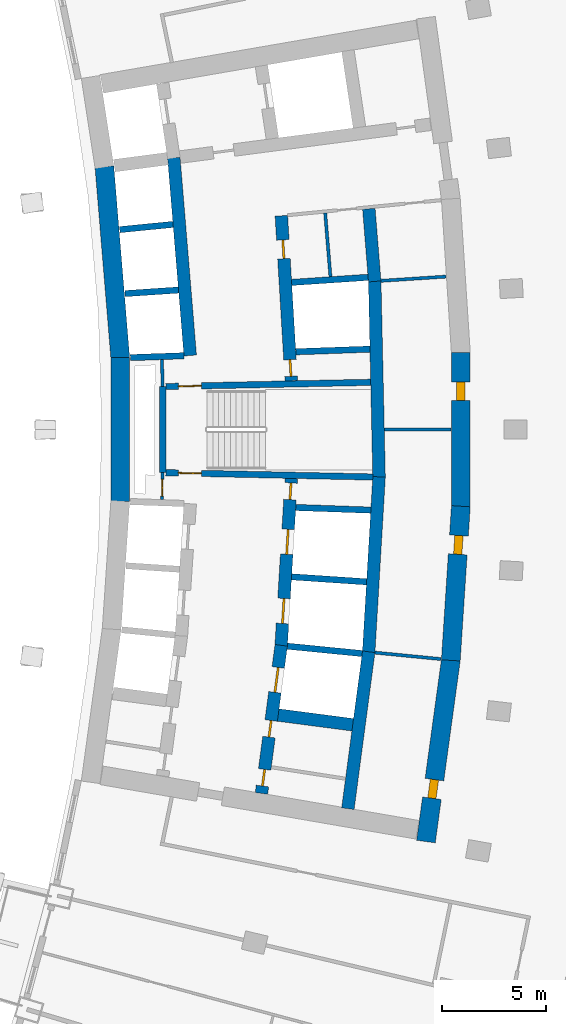
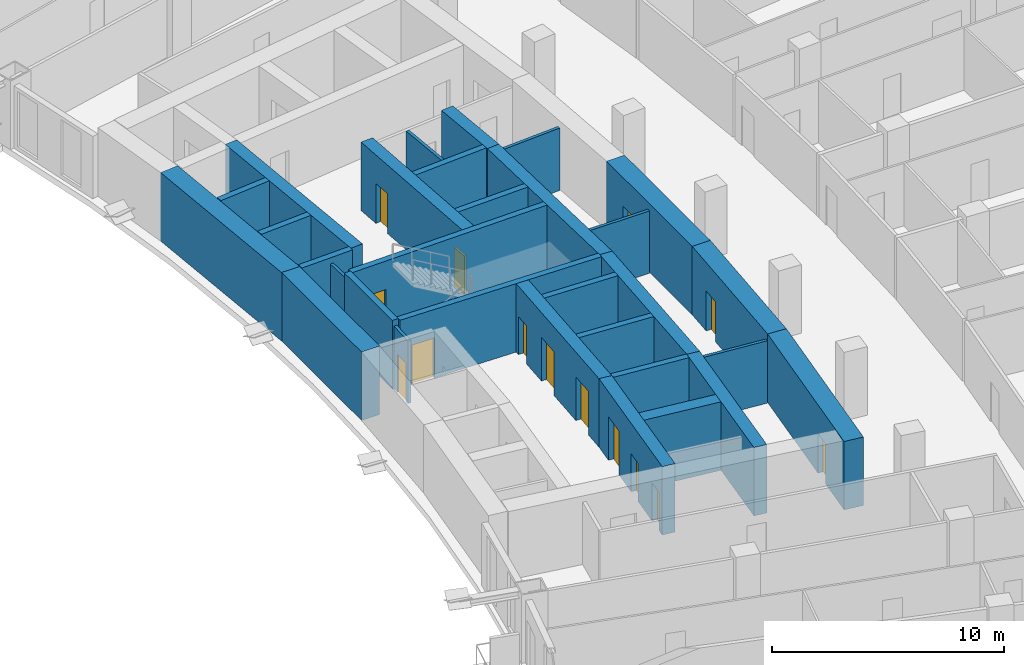
# One storey, part 13 of 22: 31 walls, 14 doors, 14 openings.
"""IFC4 building model written with IfcOpenShell, lengths in metres."""

from ifc_helpers import new_model, si_unit, direction, frame, frame_2d, origin, place, context, subcontext, project, spatial, rectangle, extrude, material, layer, layer_set, type_object, element, fill, save


model = new_model("IFC4")

# Units and contexts
model_context = context("Model", 3, precision=1e-05, world=origin(), true_north=direction((0.0, 1.0)))
body_context = subcontext(model_context, "Body", "Model", "MODEL_VIEW")
ifc_project = project(units=[si_unit("LENGTHUNIT", "METRE"), si_unit("AREAUNIT", "SQUARE_METRE"), si_unit("VOLUMEUNIT", "CUBIC_METRE"), si_unit("PLANEANGLEUNIT", "RADIAN"), si_unit("MASSUNIT", "GRAM", prefix="KILO")], contexts=[model_context])

# Site, building, storey
site_placement = place(None, origin())
site = spatial("IfcSite", under=ifc_project, at=site_placement, CompositionType="ELEMENT")
building_placement = place(site_placement, origin())
building = spatial("IfcBuilding", under=site, at=building_placement, Name="Alderwake Tower", CompositionType="ELEMENT")
storey_placement = place(building_placement, frame((0.0, 0.0, 50.0)))
storey = spatial("IfcBuildingStorey", under=building, at=storey_placement, Name="L11", CompositionType="ELEMENT", Elevation=50.0)

# Wall, opening, door
ifc_material_1 = material(Name="Gypsum shaft wall system, rated")
ifc_layer_1 = layer(ifc_material_1, 0.14990234375)
ifc_layer_set_1 = layer_set([ifc_layer_1], Name="Core room partition 150")
wall_type_1 = type_object("IfcWallType", Name="Core room partition 150", PredefinedType="PARTITIONING", material=ifc_layer_set_1)
wall_1_placement = place(storey_placement, frame((18.918701171875, 58.94384765625, 0.0), z_axis=(0.0, 0.0, 1.0), x_axis=(-0.027348257573, -0.999625966453, 0.0)))
wall_1 = element("IfcWall", 1, at=wall_1_placement, inside=storey, type_object=wall_type_1, Name="CW/L11/PA+24_-37", PredefinedType="PARTITIONING", context=body_context, shape_type="SweptSolid", body=[
    extrude(rectangle(XDim=1.29443359375, YDim=0.14990234375, at=frame_2d((0.647216796875, 0.0))), origin(), (0.0, 0.0, 1.0), 3.280029296875),
])
opening_1_placement = place(wall_1_placement, frame((0.322998046875, 0.0, 0.0)))
opening_1 = element("IfcOpeningElement", 2, at=opening_1_placement, cuts=wall_1, Name="Opening C004", PredefinedType="OPENING", context=body_context, shape_type="SweptSolid", body=[
    extrude(rectangle(XDim=0.800048828125, YDim=2.0, at=frame_2d((0.39990234375, 1.0))), frame((0.0, 0.0849609375, 0.0), z_axis=(0.0, -1.0, 0.0), x_axis=(1.0, 0.0, 0.0)), (0.0, 0.0, 1.0), 0.169921875),
])
ifc_material_2 = material(Name="Painted steel leaf, rated", Category="steel")
door_type_1 = type_object("IfcDoorType", Name="Riser access door 800", OperationType="SINGLE_SWING_LEFT", PredefinedType="DOOR", material=ifc_material_2)
door_1_placement = place(opening_1_placement, origin())
door_1 = element("IfcDoor", 3, at=door_1_placement, inside=storey, type_object=door_type_1, Name="Riser access door", OperationType="SINGLE_SWING_RIGHT", OverallHeight=2.0, OverallWidth=0.800048828125, PredefinedType="DOOR", context=body_context, shape_type="SweptSolid", body=[
    extrude(rectangle(XDim=0.800048828125, YDim=2.0, at=frame_2d((0.39990234375, 1.0))), frame((0.0, 0.02490234375, 0.0), z_axis=(0.0, -1.0, 0.0), x_axis=(1.0, 0.0, 0.0)), (0.0, 0.0, 1.0), 0.050048828125),
])
fill(opening_1, door_1)

# Walls
wall_2_placement = place(storey_placement, frame((18.918701171875, 63.05517578125, 0.0), z_axis=(0.0, 0.0, 1.0), x_axis=(-0.027327648352, 0.999626530078, 0.0)))
element("IfcWall", 4, at=wall_2_placement, inside=storey, type_object=wall_type_1, Name="CW/L11/PA+24_+22", PredefinedType="PARTITIONING", context=body_context, shape_type="SweptSolid", body=[
    extrude(rectangle(XDim=1.29541015625, YDim=0.14990234375, at=frame_2d((0.647705078125, 0.0))), origin(), (0.0, 0.0, 1.0), 3.280029296875),
])
wall_3_placement = place(storey_placement, frame((26.94970703125, 68.3203125, 0.0), z_axis=(0.0, 0.0, 1.0), x_axis=(-0.082463525817, 0.996594083321, 0.0)))
element("IfcWall", 5, at=wall_3_placement, inside=storey, type_object=wall_type_1, Name="CW/L11/PA+107_+70", PredefinedType="PARTITIONING", context=body_context, shape_type="SweptSolid", body=[
    extrude(rectangle(XDim=3.055419921875, YDim=0.14990234375, at=frame_2d((1.52783203125, 0.0))), origin(), (0.0, 0.0, 1.0), 3.280029296875),
])
wall_4_placement = place(storey_placement, frame((29.0791015625, 50.326416015625, 0.0), z_axis=(0.0, 0.0, 1.0), x_axis=(0.995249181795, -0.097360495766, 0.0)))
element("IfcWall", 6, at=wall_4_placement, inside=storey, type_object=wall_type_1, Name="CW/L11/PR-102_+128", PredefinedType="PARTITIONING", context=body_context, shape_type="SweptSolid", body=[
    extrude(rectangle(XDim=3.169677734375, YDim=0.14990234375, at=frame_2d((1.5849609375, 0.0))), origin(), (0.0, 0.0, 1.0), 3.280029296875),
])
wall_5_placement = place(storey_placement, frame((29.526123046875, 61.0, 0.0), z_axis=(0.0, 0.0, 1.0), x_axis=(1.0, 0.0, 0.0)))
element("IfcWall", 7, at=wall_5_placement, inside=storey, type_object=wall_type_1, Name="CW/L11/PR+0_+128", PredefinedType="PARTITIONING", context=body_context, shape_type="SweptSolid", body=[
    extrude(rectangle(XDim=3.18408203125, YDim=0.14990234375, at=frame_2d((1.592041015625, 0.0))), origin(), (0.0, 0.0, 1.0), 3.280029296875),
])
wall_6_placement = place(storey_placement, frame((29.36865234375, 68.1220703125, 0.0), z_axis=(0.0, 0.0, 1.0), x_axis=(0.997885090452, 0.065002663433, 0.0)))
element("IfcWall", 8, at=wall_6_placement, inside=storey, type_object=wall_type_1, Name="CW/L11/PR+68_+128", PredefinedType="PARTITIONING", context=body_context, shape_type="SweptSolid", body=[
    extrude(rectangle(XDim=3.10986328125, YDim=0.14990234375, at=frame_2d((1.554931640625, 0.0))), origin(), (0.0, 0.0, 1.0), 3.280029296875),
])
ifc_material_3 = material(Name="Concrete C70/85", Category="concrete")
ifc_layer_2 = layer(ifc_material_3, 0.89990234375)
ifc_layer_set_2 = layer_set([ifc_layer_2], Name="Core wall outer 900 C70-85")
wall_type_2 = type_object("IfcWallType", Name="Core wall outer 900 C70-85", PredefinedType="SHEAR", material=ifc_layer_set_2)
wall_7_placement = place(storey_placement, frame((16.889404296875, 57.5546875, 0.0), z_axis=(0.0, 0.0, 1.0), x_axis=(0.0, 1.0, 0.0)))
element("IfcWall", 9, at=wall_7_placement, inside=storey, type_object=wall_type_2, Name="Core wall CW.043", PredefinedType="SHEAR", context=body_context, shape_type="SweptSolid", body=[
    extrude(rectangle(XDim=6.89404296875, YDim=0.89990234375, at=frame_2d((3.447021484375, 0.0))), origin(), (0.0, 0.0, 1.0), 3.60009765625),
])
wall_8_placement = place(storey_placement, frame((16.890869140625, 64.41064453125, 0.0), z_axis=(0.0, 0.0, 1.0), x_axis=(-0.082624275373, 0.996580768989, 0.0)))
element("IfcWall", 10, at=wall_8_placement, inside=storey, type_object=wall_type_2, Name="Core wall CW.040", PredefinedType="SHEAR", context=body_context, shape_type="SweptSolid", body=[
    extrude(rectangle(XDim=9.210205078125, YDim=0.89990234375, at=frame_2d((4.60498046875, 0.0))), origin(), (0.0, 0.0, 1.0), 3.60009765625),
])

# Wall, opening, door
wall_9_placement = place(storey_placement, frame((32.7138671875, 49.9873046875, 0.0), z_axis=(0.0, 0.0, 1.0), x_axis=(-0.135844728876, -0.990730139663, 0.0)))
wall_9 = element("IfcWall", 11, at=wall_9_placement, inside=storey, type_object=wall_type_2, Name="Core wall CW.012", PredefinedType="SHEAR", context=body_context, shape_type="SweptSolid", body=[
    extrude(rectangle(XDim=8.78662109375, YDim=0.89990234375, at=frame_2d((4.393310546875, 0.0))), origin(), (0.0, 0.0, 1.0), 3.60009765625),
])
opening_2_placement = place(wall_9_placement, frame((5.79248046875, 0.0, 0.0)))
opening_2 = element("IfcOpeningElement", 12, at=opening_2_placement, cuts=wall_9, Name="Opening C060", PredefinedType="OPENING", context=body_context, shape_type="SweptSolid", body=[
    extrude(rectangle(XDim=0.89990234375, YDim=2.10009765625, at=frame_2d((0.449951171875, 1.050048828125))), frame((0.0, 0.4599609375, 0.0), z_axis=(0.0, -1.0, 0.0), x_axis=(1.0, 0.0, 0.0)), (0.0, 0.0, 1.0), 0.919921875),
])
ifc_material_4 = material(Name="Painted steel leaf", Category="steel")
door_type_2 = type_object("IfcDoorType", Name="Core room door 900", OperationType="SINGLE_SWING_LEFT", PredefinedType="DOOR", material=ifc_material_4)
door_2_placement = place(opening_2_placement, origin())
door_2 = element("IfcDoor", 13, at=door_2_placement, inside=storey, type_object=door_type_2, Name="Room door", OperationType="SINGLE_SWING_LEFT", OverallHeight=2.10009765625, OverallWidth=0.89990234375, PredefinedType="DOOR", context=body_context, shape_type="SweptSolid", body=[
    extrude(rectangle(XDim=0.89990234375, YDim=2.10009765625, at=frame_2d((0.449951171875, 1.050048828125))), frame((0.0, 0.199951171875, 0.0), z_axis=(0.0, -1.0, 0.0), x_axis=(1.0, 0.0, 0.0)), (0.0, 0.0, 1.0), 0.39990234375),
])
fill(opening_2, door_2)

wall_10_placement = place(storey_placement, frame((33.191162109375, 57.33349609375, 0.0), z_axis=(0.0, 0.0, 1.0), x_axis=(-0.064976219143, -0.997886812693, 0.0)))
wall_10 = element("IfcWall", 14, at=wall_10_placement, inside=storey, type_object=wall_type_2, Name="Core wall CW.011", PredefinedType="SHEAR", context=body_context, shape_type="SweptSolid", body=[
    extrude(rectangle(XDim=7.39453125, YDim=0.89990234375, at=frame_2d((3.697265625, 0.0))), origin(), (0.0, 0.0, 1.0), 3.60009765625),
])
opening_3_placement = place(wall_10_placement, frame((1.405517578125, 0.0, 0.0)))
opening_3 = element("IfcOpeningElement", 15, at=opening_3_placement, cuts=wall_10, Name="Opening C025", PredefinedType="OPENING", context=body_context, shape_type="SweptSolid", body=[
    extrude(rectangle(XDim=0.89990234375, YDim=2.10009765625, at=frame_2d((0.449951171875, 1.050048828125))), frame((0.0, 0.4599609375, 0.0), z_axis=(0.0, -1.0, 0.0), x_axis=(1.0, 0.0, 0.0)), (0.0, 0.0, 1.0), 0.919921875),
])
door_3_placement = place(opening_3_placement, origin())
door_3 = element("IfcDoor", 16, at=door_3_placement, inside=storey, type_object=door_type_2, Name="Room door", OperationType="SINGLE_SWING_RIGHT", OverallHeight=2.10009765625, OverallWidth=0.89990234375, PredefinedType="DOOR", context=body_context, shape_type="SweptSolid", body=[
    extrude(rectangle(XDim=0.89990234375, YDim=2.10009765625, at=frame_2d((0.449951171875, 1.050048828125))), frame((0.0, 0.199951171875, 0.0), z_axis=(0.0, -1.0, 0.0), x_axis=(1.0, 0.0, 0.0)), (0.0, 0.0, 1.0), 0.39990234375),
])
fill(opening_3, door_3)

wall_11_placement = place(storey_placement, frame((33.190185546875, 64.69677734375, 0.0), z_axis=(0.0, 0.0, 1.0), x_axis=(0.0, -1.0, 0.0)))
wall_11 = element("IfcWall", 17, at=wall_11_placement, inside=storey, type_object=wall_type_2, Name="Core wall CW.013", PredefinedType="SHEAR", context=body_context, shape_type="SweptSolid", body=[
    extrude(rectangle(XDim=7.3935546875, YDim=0.89990234375, at=frame_2d((3.69677734375, 0.0))), origin(), (0.0, 0.0, 1.0), 3.60009765625),
])
opening_4_placement = place(wall_11_placement, frame((1.405517578125, 0.0, 0.0)))
opening_4 = element("IfcOpeningElement", 18, at=opening_4_placement, cuts=wall_11, Name="Opening C033", PredefinedType="OPENING", context=body_context, shape_type="SweptSolid", body=[
    extrude(rectangle(XDim=0.89990234375, YDim=2.10009765625, at=frame_2d((0.449951171875, 1.050048828125))), frame((0.0, 0.4599609375, 0.0), z_axis=(0.0, -1.0, 0.0), x_axis=(1.0, 0.0, 0.0)), (0.0, 0.0, 1.0), 0.919921875),
])
door_4_placement = place(opening_4_placement, origin())
door_4 = element("IfcDoor", 19, at=door_4_placement, inside=storey, type_object=door_type_2, Name="Room door", OperationType="SINGLE_SWING_LEFT", OverallHeight=2.10009765625, OverallWidth=0.89990234375, PredefinedType="DOOR", context=body_context, shape_type="SweptSolid", body=[
    extrude(rectangle(XDim=0.89990234375, YDim=2.10009765625, at=frame_2d((0.449951171875, 1.050048828125))), frame((0.0, 0.199951171875, 0.0), z_axis=(0.0, -1.0, 0.0), x_axis=(1.0, 0.0, 0.0)), (0.0, 0.0, 1.0), 0.39990234375),
])
fill(opening_4, door_4)

# Walls
ifc_material_5 = material(Name="Concrete C70/85", Category="concrete")
ifc_layer_3 = layer(ifc_material_5, 0.300048828125)
ifc_layer_set_3 = layer_set([ifc_layer_3], Name="Core wall shaft 300 C70-85")
wall_type_3 = type_object("IfcWallType", Name="Core wall shaft 300 C70-85", PredefinedType="SHEAR", material=ifc_layer_set_3)
wall_12_placement = place(storey_placement, frame((24.889404296875, 50.635009765625, 0.0), z_axis=(0.0, 0.0, 1.0), x_axis=(0.995156121494, -0.098307140396, 0.0)))
element("IfcWall", 20, at=wall_12_placement, inside=storey, type_object=wall_type_3, Name="Core wall CW.066", PredefinedType="SHEAR", context=body_context, shape_type="SweptSolid", body=[
    extrude(rectangle(XDim=3.595947265625, YDim=0.300048828125, at=frame_2d((1.7978515625, 0.0))), origin(), (0.0, 0.0, 1.0), 3.60009765625),
])
wall_13_placement = place(storey_placement, frame((25.090087890625, 53.954833984375, 0.0), z_axis=(0.0, 0.0, 1.0), x_axis=(0.997758045734, -0.066924451231, 0.0)))
element("IfcWall", 21, at=wall_13_placement, inside=storey, type_object=wall_type_3, Name="Core wall CW.080", PredefinedType="SHEAR", context=body_context, shape_type="SweptSolid", body=[
    extrude(rectangle(XDim=3.596923828125, YDim=0.300048828125, at=frame_2d((1.79833984375, 0.0))), origin(), (0.0, 0.0, 1.0), 3.60009765625),
])
wall_14_placement = place(storey_placement, frame((25.29052734375, 57.27294921875, 0.0), z_axis=(0.0, 0.0, 1.0), x_axis=(0.99937585491, -0.035325636908, 0.0)))
element("IfcWall", 22, at=wall_14_placement, inside=storey, type_object=wall_type_3, Name="Core wall CW.077", PredefinedType="SHEAR", context=body_context, shape_type="SweptSolid", body=[
    extrude(rectangle(XDim=3.59375, YDim=0.300048828125, at=frame_2d((1.796875, 0.0))), origin(), (0.0, 0.0, 1.0), 3.60009765625),
])
wall_15_placement = place(storey_placement, frame((17.369384765625, 64.446533203125, 0.0), z_axis=(0.0, 0.0, 1.0), x_axis=(0.999371660382, 0.035444102817, 0.0)))
element("IfcWall", 23, at=wall_15_placement, inside=storey, type_object=wall_type_3, Name="Core wall CW.059", PredefinedType="SHEAR", context=body_context, shape_type="SweptSolid", body=[
    extrude(rectangle(XDim=2.5693359375, YDim=0.300048828125, at=frame_2d((1.28466796875, 0.0))), origin(), (0.0, 0.0, 1.0), 3.60009765625),
])
wall_16_placement = place(storey_placement, frame((25.291259765625, 64.72705078125, 0.0), z_axis=(0.0, 0.0, 1.0), x_axis=(0.999373231824, 0.035399767136, 0.0)))
element("IfcWall", 24, at=wall_16_placement, inside=storey, type_object=wall_type_3, Name="Core wall CW.060", PredefinedType="SHEAR", context=body_context, shape_type="SweptSolid", body=[
    extrude(rectangle(XDim=3.5517578125, YDim=0.300048828125, at=frame_2d((1.77587890625, 0.0))), origin(), (0.0, 0.0, 1.0), 3.60009765625),
])
wall_17_placement = place(storey_placement, frame((17.115478515625, 67.510498046875, 0.0), z_axis=(0.0, 0.0, 1.0), x_axis=(0.99775517309, 0.06696726493, 0.0)))
element("IfcWall", 25, at=wall_17_placement, inside=storey, type_object=wall_type_3, Name="Core wall CW.062", PredefinedType="SHEAR", context=body_context, shape_type="SweptSolid", body=[
    extrude(rectangle(XDim=2.566650390625, YDim=0.300048828125, at=frame_2d((1.283203125, 0.0))), origin(), (0.0, 0.0, 1.0), 3.60009765625),
])
wall_18_placement = place(storey_placement, frame((25.09228515625, 68.04541015625, 0.0), z_axis=(0.0, 0.0, 1.0), x_axis=(0.997760946222, 0.066881194621, 0.0)))
element("IfcWall", 26, at=wall_18_placement, inside=storey, type_object=wall_type_3, Name="Core wall CW.063", PredefinedType="SHEAR", context=body_context, shape_type="SweptSolid", body=[
    extrude(rectangle(XDim=3.668701171875, YDim=0.300048828125, at=frame_2d((1.83447265625, 0.0))), origin(), (0.0, 0.0, 1.0), 3.60009765625),
])
wall_19_placement = place(storey_placement, frame((16.86181640625, 70.571533203125, 0.0), z_axis=(0.0, 0.0, 1.0), x_axis=(0.995151424955, 0.098354671516, 0.0)))
element("IfcWall", 27, at=wall_19_placement, inside=storey, type_object=wall_type_3, Name="Core wall CW.050", PredefinedType="SHEAR", context=body_context, shape_type="SweptSolid", body=[
    extrude(rectangle(XDim=2.566650390625, YDim=0.300048828125, at=frame_2d((1.283203125, 0.0))), origin(), (0.0, 0.0, 1.0), 3.60009765625),
])
ifc_material_6 = material(Name="Concrete C70/85", Category="concrete")
ifc_layer_4 = layer(ifc_material_6, 0.60009765625)
ifc_layer_set_4 = layer_set([ifc_layer_4], Name="Core wall spine 600 C70-85")
wall_type_4 = type_object("IfcWallType", Name="Core wall spine 600 C70-85", PredefinedType="SHEAR", material=ifc_layer_set_4)
wall_20_placement = place(storey_placement, frame((20.2373046875, 64.548095703125, 0.0), z_axis=(0.0, 0.0, 1.0), x_axis=(-0.082626598613, 0.996580576372, 0.0)))
element("IfcWall", 28, at=wall_20_placement, inside=storey, type_object=wall_type_4, Name="Core wall CW.031", PredefinedType="SHEAR", context=body_context, shape_type="SweptSolid", body=[
    extrude(rectangle(XDim=9.50244140625, YDim=0.60009765625, at=frame_2d((4.751220703125, 0.0))), origin(), (0.0, 0.0, 1.0), 3.60009765625),
])

# Wall, openings, doors
wall_21_placement = place(storey_placement, frame((23.647705078125, 43.588134765625, 0.0), z_axis=(0.0, 0.0, 1.0), x_axis=(0.132069785658, 0.991240420744, 0.0)))
wall_21 = element("IfcWall", 29, at=wall_21_placement, inside=storey, type_object=wall_type_4, Name="Core wall CW.047", PredefinedType="SHEAR", context=body_context, shape_type="SweptSolid", body=[
    extrude(rectangle(XDim=7.150390625, YDim=0.60009765625, at=frame_2d((3.5751953125, 0.0))), origin(), (0.0, 0.0, 1.0), 3.60009765625),
])
opening_5_placement = place(wall_21_placement, frame((4.88134765625, 0.0, 0.0)))
opening_5 = element("IfcOpeningElement", 30, at=opening_5_placement, cuts=wall_21, Name="Opening LD-LP4", PredefinedType="OPENING", context=body_context, shape_type="SweptSolid", body=[
    extrude(rectangle(XDim=1.199951171875, YDim=2.300048828125, at=frame_2d((0.60009765625, 1.14990234375))), frame((0.0, 0.31005859375, 0.0), z_axis=(0.0, -1.0, 0.0), x_axis=(1.0, 0.0, 0.0)), (0.0, 0.0, 1.0), 0.6201171875),
])
opening_6_placement = place(wall_21_placement, frame((0.35791015625, 0.0, 0.0)))
opening_6 = element("IfcOpeningElement", 31, at=opening_6_placement, cuts=wall_21, Name="Opening C016", PredefinedType="OPENING", context=body_context, shape_type="SweptSolid", body=[
    extrude(rectangle(XDim=0.800048828125, YDim=2.0, at=frame_2d((0.39990234375, 1.0))), frame((0.0, 0.31005859375, 0.0), z_axis=(0.0, -1.0, 0.0), x_axis=(1.0, 0.0, 0.0)), (0.0, 0.0, 1.0), 0.6201171875),
])
opening_7_placement = place(wall_21_placement, frame((2.719482421875, 0.0, 0.0)))
opening_7 = element("IfcOpeningElement", 32, at=opening_7_placement, cuts=wall_21, Name="Opening C017", PredefinedType="OPENING", context=body_context, shape_type="SweptSolid", body=[
    extrude(rectangle(XDim=0.800048828125, YDim=2.0, at=frame_2d((0.39990234375, 1.0))), frame((0.0, 0.31005859375, 0.0), z_axis=(0.0, -1.0, 0.0), x_axis=(1.0, 0.0, 0.0)), (0.0, 0.0, 1.0), 0.6201171875),
])
ifc_material_7 = material(Name="Stainless steel sliding leaf", Category="steel")
door_type_3 = type_object("IfcDoorType", Name="Lift landing door 1200", OperationType="SLIDING_TO_LEFT", PredefinedType="DOOR", material=ifc_material_7)
door_5_placement = place(opening_5_placement, origin())
door_5 = element("IfcDoor", 33, at=door_5_placement, inside=storey, type_object=door_type_3, Name="Lift landing door LP4", OperationType="SLIDING_TO_LEFT", OverallHeight=2.300048828125, OverallWidth=1.199951171875, PredefinedType="DOOR", context=body_context, shape_type="SweptSolid", body=[
    extrude(rectangle(XDim=1.199951171875, YDim=2.300048828125, at=frame_2d((0.60009765625, 1.14990234375))), frame((0.0, 0.050048828125, 0.0), z_axis=(0.0, -1.0, 0.0), x_axis=(1.0, 0.0, 0.0)), (0.0, 0.0, 1.0), 0.10009765625),
])
fill(opening_5, door_5)
door_6_placement = place(opening_6_placement, origin())
door_6 = element("IfcDoor", 34, at=door_6_placement, inside=storey, type_object=door_type_1, Name="Riser access door", OperationType="SINGLE_SWING_LEFT", OverallHeight=2.0, OverallWidth=0.800048828125, PredefinedType="DOOR", context=body_context, shape_type="SweptSolid", body=[
    extrude(rectangle(XDim=0.800048828125, YDim=2.0, at=frame_2d((0.39990234375, 1.0))), frame((0.0, 0.050048828125, 0.0), z_axis=(0.0, -1.0, 0.0), x_axis=(1.0, 0.0, 0.0)), (0.0, 0.0, 1.0), 0.10009765625),
])
fill(opening_6, door_6)
door_7_placement = place(opening_7_placement, origin())
door_7 = element("IfcDoor", 35, at=door_7_placement, inside=storey, type_object=door_type_1, Name="Riser access door", OperationType="SINGLE_SWING_RIGHT", OverallHeight=2.0, OverallWidth=0.800048828125, PredefinedType="DOOR", context=body_context, shape_type="SweptSolid", body=[
    extrude(rectangle(XDim=0.800048828125, YDim=2.0, at=frame_2d((0.39990234375, 1.0))), frame((0.0, 0.050048828125, 0.0), z_axis=(0.0, -1.0, 0.0), x_axis=(1.0, 0.0, 0.0)), (0.0, 0.0, 1.0), 0.10009765625),
])
fill(opening_7, door_7)

wall_22_placement = place(storey_placement, frame((24.58984375, 50.6533203125, 0.0), z_axis=(0.0, 0.0, 1.0), x_axis=(0.060323309079, 0.998178890972, 0.0)))
wall_22 = element("IfcWall", 36, at=wall_22_placement, inside=storey, type_object=wall_type_4, Name="Core wall CW.046", PredefinedType="SHEAR", context=body_context, shape_type="SweptSolid", body=[
    extrude(rectangle(XDim=8.025634765625, YDim=0.60009765625, at=frame_2d((4.0126953125, 0.0))), origin(), (0.0, 0.0, 1.0), 3.60009765625),
])
opening_8_placement = place(wall_22_placement, frame((1.06884765625, 0.0, 0.0)))
opening_8 = element("IfcOpeningElement", 37, at=opening_8_placement, cuts=wall_22, Name="Opening LD-LP5", PredefinedType="OPENING", context=body_context, shape_type="SweptSolid", body=[
    extrude(rectangle(XDim=1.199951171875, YDim=2.300048828125, at=frame_2d((0.60009765625, 1.14990234375))), frame((0.0, 0.31005859375, 0.0), z_axis=(0.0, -1.0, 0.0), x_axis=(1.0, 0.0, 0.0)), (0.0, 0.0, 1.0), 0.6201171875),
])
opening_9_placement = place(wall_22_placement, frame((4.38525390625, 0.0, 0.0)))
opening_9 = element("IfcOpeningElement", 38, at=opening_9_placement, cuts=wall_22, Name="Opening LD-LP6", PredefinedType="OPENING", context=body_context, shape_type="SweptSolid", body=[
    extrude(rectangle(XDim=1.199951171875, YDim=2.300048828125, at=frame_2d((0.60009765625, 1.14990234375))), frame((0.0, 0.31005859375, 0.0), z_axis=(0.0, -1.0, 0.0), x_axis=(1.0, 0.0, 0.0)), (0.0, 0.0, 1.0), 0.6201171875),
])
opening_10_placement = place(wall_22_placement, frame((7.009521484375, 0.0, 0.0)))
opening_10 = element("IfcOpeningElement", 39, at=opening_10_placement, cuts=wall_22, Name="Opening C006", PredefinedType="OPENING", context=body_context, shape_type="SweptSolid", body=[
    extrude(rectangle(XDim=0.800048828125, YDim=2.0, at=frame_2d((0.39990234375, 1.0))), frame((0.0, 0.31005859375, 0.0), z_axis=(0.0, -1.0, 0.0), x_axis=(1.0, 0.0, 0.0)), (0.0, 0.0, 1.0), 0.6201171875),
])
door_8_placement = place(opening_8_placement, origin())
door_8 = element("IfcDoor", 40, at=door_8_placement, inside=storey, type_object=door_type_3, Name="Lift landing door LP5", OperationType="SLIDING_TO_LEFT", OverallHeight=2.300048828125, OverallWidth=1.199951171875, PredefinedType="DOOR", context=body_context, shape_type="SweptSolid", body=[
    extrude(rectangle(XDim=1.199951171875, YDim=2.300048828125, at=frame_2d((0.60009765625, 1.14990234375))), frame((0.0, 0.050048828125, 0.0), z_axis=(0.0, -1.0, 0.0), x_axis=(1.0, 0.0, 0.0)), (0.0, 0.0, 1.0), 0.10009765625),
])
fill(opening_8, door_8)
door_9_placement = place(opening_9_placement, origin())
door_9 = element("IfcDoor", 41, at=door_9_placement, inside=storey, type_object=door_type_3, Name="Lift landing door LP6", OperationType="SLIDING_TO_LEFT", OverallHeight=2.300048828125, OverallWidth=1.199951171875, PredefinedType="DOOR", context=body_context, shape_type="SweptSolid", body=[
    extrude(rectangle(XDim=1.199951171875, YDim=2.300048828125, at=frame_2d((0.60009765625, 1.14990234375))), frame((0.0, 0.050048828125, 0.0), z_axis=(0.0, -1.0, 0.0), x_axis=(1.0, 0.0, 0.0)), (0.0, 0.0, 1.0), 0.10009765625),
])
fill(opening_9, door_9)
door_10_placement = place(opening_10_placement, origin())
door_10 = element("IfcDoor", 42, at=door_10_placement, inside=storey, type_object=door_type_1, Name="Riser access door", OperationType="SINGLE_SWING_RIGHT", OverallHeight=2.0, OverallWidth=0.800048828125, PredefinedType="DOOR", context=body_context, shape_type="SweptSolid", body=[
    extrude(rectangle(XDim=0.800048828125, YDim=2.0, at=frame_2d((0.39990234375, 1.0))), frame((0.0, 0.050048828125, 0.0), z_axis=(0.0, -1.0, 0.0), x_axis=(1.0, 0.0, 0.0)), (0.0, 0.0, 1.0), 0.10009765625),
])
fill(opening_10, door_10)

wall_23_placement = place(storey_placement, frame((25.073974609375, 63.335693359375, 0.0), z_axis=(0.0, 0.0, 1.0), x_axis=(-0.059848641072, 0.998207463487, 0.0)))
wall_23 = element("IfcWall", 43, at=wall_23_placement, inside=storey, type_object=wall_type_4, Name="Core wall CW.045", PredefinedType="SHEAR", context=body_context, shape_type="SweptSolid", body=[
    extrude(rectangle(XDim=7.913818359375, YDim=0.60009765625, at=frame_2d((3.95703125, 0.0))), origin(), (0.0, 0.0, 1.0), 3.60009765625),
])
opening_11_placement = place(wall_23_placement, frame((0.216064453125, 0.0, 0.0)))
opening_11 = element("IfcOpeningElement", 44, at=opening_11_placement, cuts=wall_23, Name="Opening C005", PredefinedType="OPENING", context=body_context, shape_type="SweptSolid", body=[
    extrude(rectangle(XDim=0.800048828125, YDim=2.0, at=frame_2d((0.39990234375, 1.0))), frame((0.0, 0.31005859375, 0.0), z_axis=(0.0, -1.0, 0.0), x_axis=(1.0, 0.0, 0.0)), (0.0, 0.0, 1.0), 0.6201171875),
])
opening_12_placement = place(wall_23_placement, frame((5.856201171875, 0.0, 0.0)))
opening_12 = element("IfcOpeningElement", 45, at=opening_12_placement, cuts=wall_23, Name="Opening C024", PredefinedType="OPENING", context=body_context, shape_type="SweptSolid", body=[
    extrude(rectangle(XDim=0.89990234375, YDim=2.10009765625, at=frame_2d((0.449951171875, 1.050048828125))), frame((0.0, 0.31005859375, 0.0), z_axis=(0.0, -1.0, 0.0), x_axis=(1.0, 0.0, 0.0)), (0.0, 0.0, 1.0), 0.6201171875),
])
door_11_placement = place(opening_12_placement, origin())
door_11 = element("IfcDoor", 46, at=door_11_placement, inside=storey, type_object=door_type_2, Name="Room door", OperationType="SINGLE_SWING_LEFT", OverallHeight=2.10009765625, OverallWidth=0.89990234375, PredefinedType="DOOR", context=body_context, shape_type="SweptSolid", body=[
    extrude(rectangle(XDim=0.89990234375, YDim=2.10009765625, at=frame_2d((0.449951171875, 1.050048828125))), frame((0.0, 0.050048828125, 0.0), z_axis=(0.0, -1.0, 0.0), x_axis=(1.0, 0.0, 0.0)), (0.0, 0.0, 1.0), 0.10009765625),
])
fill(opening_12, door_11)
door_12_placement = place(opening_11_placement, origin())
door_12 = element("IfcDoor", 47, at=door_12_placement, inside=storey, type_object=door_type_1, Name="Riser access door", OperationType="SINGLE_SWING_LEFT", OverallHeight=2.0, OverallWidth=0.800048828125, PredefinedType="DOOR", context=body_context, shape_type="SweptSolid", body=[
    extrude(rectangle(XDim=0.800048828125, YDim=2.0, at=frame_2d((0.39990234375, 1.0))), frame((0.0, 0.050048828125, 0.0), z_axis=(0.0, -1.0, 0.0), x_axis=(1.0, 0.0, 0.0)), (0.0, 0.0, 1.0), 0.10009765625),
])
fill(opening_11, door_12)

# Walls
wall_24_placement = place(storey_placement, frame((27.78369140625, 42.85693359375, 0.0), z_axis=(0.0, 0.0, 1.0), x_axis=(0.131768985664, 0.991280451949, 0.0)))
element("IfcWall", 48, at=wall_24_placement, inside=storey, type_object=wall_type_4, Name="Core wall CW.006", PredefinedType="SHEAR", context=body_context, shape_type="SweptSolid", body=[
    extrude(rectangle(XDim=7.576171875, YDim=0.60009765625, at=frame_2d((3.7880859375, 0.0))), origin(), (0.0, 0.0, 1.0), 3.60009765625),
])
wall_25_placement = place(storey_placement, frame((28.77978515625, 50.34423828125, 0.0), z_axis=(0.0, 0.0, 1.0), x_axis=(0.059133840665, 0.998250063305, 0.0)))
element("IfcWall", 49, at=wall_25_placement, inside=storey, type_object=wall_type_4, Name="Core wall CW.004", PredefinedType="SHEAR", context=body_context, shape_type="SweptSolid", body=[
    extrude(rectangle(XDim=8.409912109375, YDim=0.60009765625, at=frame_2d((4.205078125, 0.0))), origin(), (0.0, 0.0, 1.0), 3.60009765625),
])
wall_26_placement = place(storey_placement, frame((29.276611328125, 58.714111328125, 0.0), z_axis=(0.0, 0.0, 1.0), x_axis=(-0.022102514973, 0.999755709577, 0.0)))
element("IfcWall", 50, at=wall_26_placement, inside=storey, type_object=wall_type_4, Name="Core wall CW.007", PredefinedType="SHEAR", context=body_context, shape_type="SweptSolid", body=[
    extrude(rectangle(XDim=9.39990234375, YDim=0.60009765625, at=frame_2d((4.699951171875, 0.0))), origin(), (0.0, 0.0, 1.0), 3.60009765625),
])
wall_27_placement = place(storey_placement, frame((29.069580078125, 68.09326171875, 0.0), z_axis=(0.0, 0.0, 1.0), x_axis=(-0.080849700234, 0.996726304445, 0.0)))
element("IfcWall", 51, at=wall_27_placement, inside=storey, type_object=wall_type_4, Name="Core wall CW.003", PredefinedType="SHEAR", context=body_context, shape_type="SweptSolid", body=[
    extrude(rectangle(XDim=3.48779296875, YDim=0.60009765625, at=frame_2d((1.743896484375, 0.0))), origin(), (0.0, 0.0, 1.0), 3.60009765625),
])
wall_28_placement = place(storey_placement, frame((24.4501953125, 47.338623046875, 0.0), z_axis=(0.0, 0.0, 1.0), x_axis=(0.99155225032, -0.129707882892, 0.0)))
element("IfcWall", 52, at=wall_28_placement, inside=storey, type_object=wall_type_4, Name="Core wall CW.069", PredefinedType="SHEAR", context=body_context, shape_type="SweptSolid", body=[
    extrude(rectangle(XDim=3.594970703125, YDim=0.60009765625, at=frame_2d((1.79736328125, 0.0))), origin(), (0.0, 0.0, 1.0), 3.60009765625),
])
ifc_material_8 = material(Name="Concrete C70/85", Category="concrete")
ifc_layer_5 = layer(ifc_material_8, 0.300048828125)
ifc_layer_set_5 = layer_set([ifc_layer_5], Name="Core wall stair enclosure 300 C70-85")
wall_type_5 = type_object("IfcWallType", Name="Core wall stair enclosure 300 C70-85", PredefinedType="SHEAR", material=ifc_layer_set_5)
wall_29_placement = place(storey_placement, frame((18.918701171875, 58.94091796875, 0.0), z_axis=(0.0, 0.0, 1.0), x_axis=(0.0, 1.0, 0.0)))
element("IfcWall", 53, at=wall_29_placement, inside=storey, type_object=wall_type_5, Name="Core wall CW.024", PredefinedType="SHEAR", context=body_context, shape_type="SweptSolid", body=[
    extrude(rectangle(XDim=4.119384765625, YDim=0.300048828125, at=frame_2d((2.0595703125, 0.0))), origin(), (0.0, 0.0, 1.0), 3.60009765625),
])

# Wall, opening, door
wall_30_placement = place(storey_placement, frame((28.976318359375, 58.733154296875, 0.0), z_axis=(0.0, 0.0, 1.0), x_axis=(-0.999783804252, 0.020792901552, 0.0)))
wall_30 = element("IfcWall", 54, at=wall_30_placement, inside=storey, type_object=wall_type_5, Name="Core wall CW.074", PredefinedType="SHEAR", context=body_context, shape_type="SweptSolid", body=[
    extrude(rectangle(XDim=9.909912109375, YDim=0.300048828125, at=frame_2d((4.955078125, 0.0))), origin(), (0.0, 0.0, 1.0), 3.60009765625),
])
opening_13_placement = place(wall_30_placement, frame((8.209716796875, 0.0, 0.0)))
opening_13 = element("IfcOpeningElement", 55, at=opening_13_placement, cuts=wall_30, Name="Opening C063", PredefinedType="OPENING", context=body_context, shape_type="SweptSolid", body=[
    extrude(rectangle(XDim=1.10009765625, YDim=2.10009765625, at=frame_2d((0.550048828125, 1.050048828125))), frame((0.0, 0.159912109375, 0.0), z_axis=(0.0, -1.0, 0.0), x_axis=(1.0, 0.0, 0.0)), (0.0, 0.0, 1.0), 0.320068359375),
])
ifc_material_9 = material(Name="Steel-framed fire door leaf", Category="steel")
door_type_4 = type_object("IfcDoorType", Name="Core stair door 1100 fire-rated", OperationType="SINGLE_SWING_LEFT", PredefinedType="DOOR", material=ifc_material_9)
door_13_placement = place(opening_13_placement, origin())
door_13 = element("IfcDoor", 56, at=door_13_placement, inside=storey, type_object=door_type_4, Name="Stair door", OperationType="SINGLE_SWING_LEFT", OverallHeight=2.10009765625, OverallWidth=1.10009765625, PredefinedType="DOOR", context=body_context, shape_type="SweptSolid", body=[
    extrude(rectangle(XDim=1.10009765625, YDim=2.10009765625, at=frame_2d((0.550048828125, 1.050048828125))), frame((0.0, 0.02490234375, 0.0), z_axis=(0.0, -1.0, 0.0), x_axis=(1.0, 0.0, 0.0)), (0.0, 0.0, 1.0), 0.050048828125),
])
fill(opening_13, door_13)

wall_31_placement = place(storey_placement, frame((19.068603515625, 63.060791015625, 0.0), z_axis=(0.0, 0.0, 1.0), x_axis=(0.999783520771, 0.020806527678, 0.0)))
wall_31 = element("IfcWall", 57, at=wall_31_placement, inside=storey, type_object=wall_type_5, Name="Core wall CW.057", PredefinedType="SHEAR", context=body_context, shape_type="SweptSolid", body=[
    extrude(rectangle(XDim=9.8095703125, YDim=0.300048828125, at=frame_2d((4.90478515625, 0.0))), origin(), (0.0, 0.0, 1.0), 3.60009765625),
])
opening_14_placement = place(wall_31_placement, frame((0.60009765625, 0.0, 0.0)))
opening_14 = element("IfcOpeningElement", 58, at=opening_14_placement, cuts=wall_31, Name="Opening C064", PredefinedType="OPENING", context=body_context, shape_type="SweptSolid", body=[
    extrude(rectangle(XDim=1.10009765625, YDim=2.10009765625, at=frame_2d((0.550048828125, 1.050048828125))), frame((0.0, 0.159912109375, 0.0), z_axis=(0.0, -1.0, 0.0), x_axis=(1.0, 0.0, 0.0)), (0.0, 0.0, 1.0), 0.320068359375),
])
door_14_placement = place(opening_14_placement, origin())
door_14 = element("IfcDoor", 59, at=door_14_placement, inside=storey, type_object=door_type_4, Name="Stair door", OperationType="SINGLE_SWING_RIGHT", OverallHeight=2.10009765625, OverallWidth=1.10009765625, PredefinedType="DOOR", context=body_context, shape_type="SweptSolid", body=[
    extrude(rectangle(XDim=1.10009765625, YDim=2.10009765625, at=frame_2d((0.550048828125, 1.050048828125))), frame((0.0, 0.02490234375, 0.0), z_axis=(0.0, -1.0, 0.0), x_axis=(1.0, 0.0, 0.0)), (0.0, 0.0, 1.0), 0.050048828125),
])
fill(opening_14, door_14)

save(model, "model.ifc")
